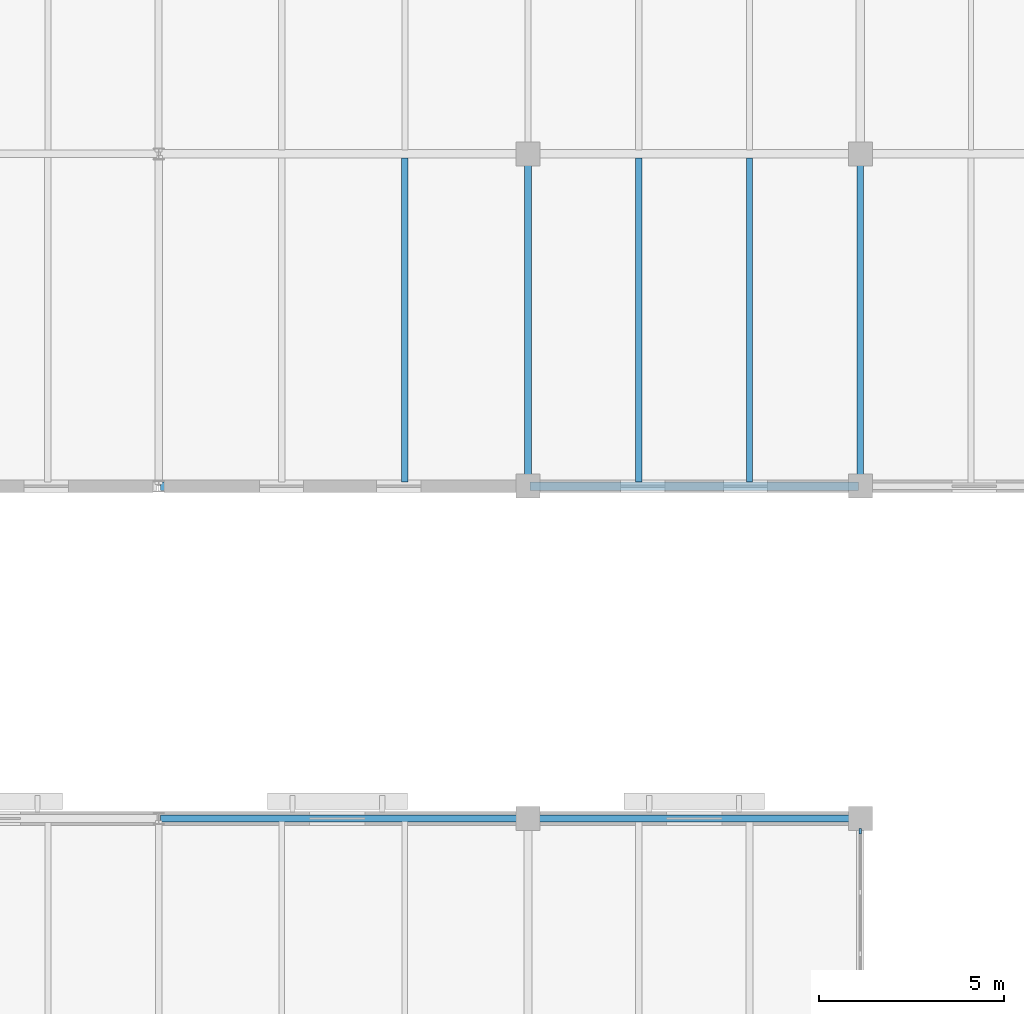
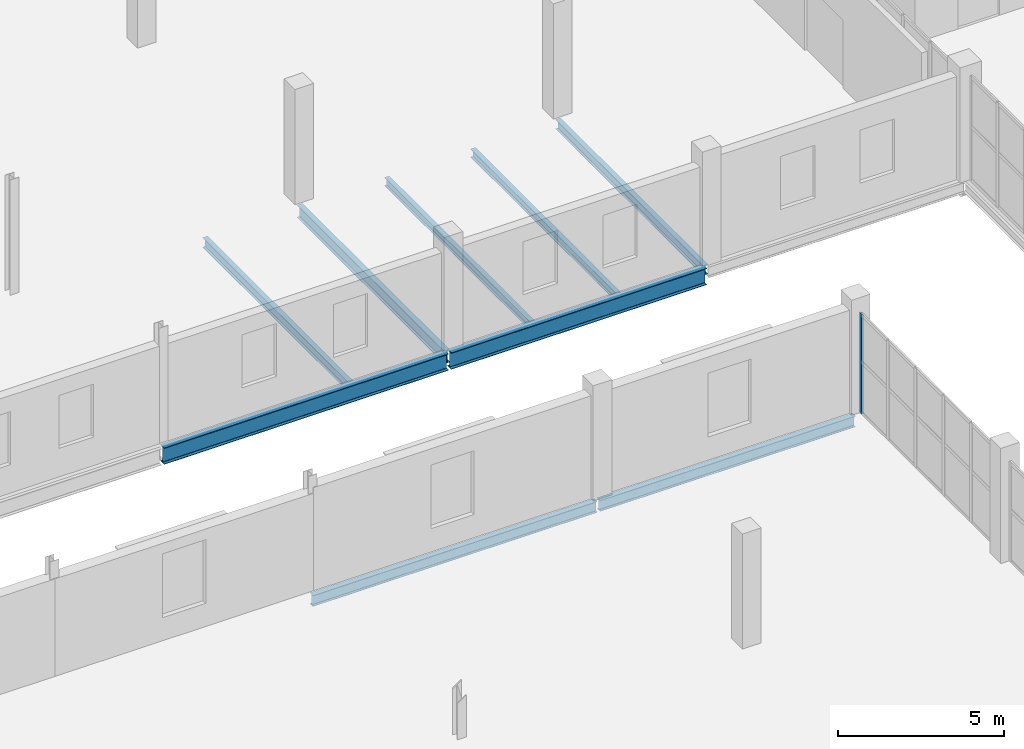
# One storey, part 25 of 85: 9 beams, 1 member, 1 element without a shape of its own.
"""IFC4 building model written with IfcOpenShell, lengths in metres."""

from ifc_helpers import new_model, si_unit, direction, frame, origin, origin_2d, place, context, subcontext, project, spatial, rectangle, i_section, extrude, material, layer, layer_set, material_profile, profile_set, type_object, element, aggregate, save


model = new_model("IFC4")

# Units and contexts
model_context = context("Model", 3, precision=1e-05, world=origin(), true_north=direction((0.0, 1.0)))
body_context = subcontext(model_context, "Body", "Model", "MODEL_VIEW")
ifc_project = project(units=[si_unit("LENGTHUNIT", "METRE"), si_unit("AREAUNIT", "SQUARE_METRE"), si_unit("VOLUMEUNIT", "CUBIC_METRE"), si_unit("PLANEANGLEUNIT", "RADIAN"), si_unit("MASSUNIT", "GRAM", prefix="KILO")], contexts=[model_context])

# Site, building, storey
site_placement = place(None, origin())
site = spatial("IfcSite", under=ifc_project, at=site_placement, CompositionType="ELEMENT")
building_placement = place(site_placement, origin())
building = spatial("IfcBuilding", under=site, at=building_placement, Name="Marnock Terrace Opera House", CompositionType="ELEMENT")
storey_placement = place(building_placement, frame((0.0, 0.0, 10.199951171875)))
storey = spatial("IfcBuildingStorey", under=building, at=storey_placement, Name="L02", CompositionType="ELEMENT", Elevation=10.199951171875)

# Beams
ifc_material_1 = material(Name="Steel Grade 350 (AS/NZS 3679.1)", Category="steel")
ifc_material_profile_1 = material_profile(ifc_material_1, i_section(OverallWidth=0.1708984375, OverallDepth=0.355712890625, WebThickness=0.00732421875, FlangeThickness=0.011474609375, FilletRadius=0.011474609375, at=origin_2d()))
ifc_profile_set_1 = profile_set([ifc_material_profile_1], Name="Steel Grade 350 (AS/NZS 3679.1)")
beam_type_1 = type_object("IfcBeamType", Name="BM-GIRD-360", PredefinedType="BEAM", material=ifc_profile_set_1)
beam_1_placement = place(storey_placement, frame((46.0, 66.050048828125, -0.437744140625), z_axis=(0.0, 1.0, 0.0), x_axis=(-1.0, 0.0, 0.0)))
element("IfcBeam", 1, at=beam_1_placement, inside=storey, type_object=beam_type_1, Name="L02 girder (X=46.0, 66.0..75.0)", PredefinedType="BEAM", context=body_context, shape_type="SweptSolid", body=[
    extrude(i_section(OverallWidth=0.1708984375, OverallDepth=0.355712890625, WebThickness=0.00732421875, FlangeThickness=0.011474609375, FilletRadius=0.011474609375, at=origin_2d()), origin(), (0.0, 0.0, 1.0), 8.89990234375),
])
ifc_material_profile_2 = material_profile(ifc_material_1, i_section(OverallWidth=0.177978515625, OverallDepth=0.402587890625, WebThickness=0.007568359375, FlangeThickness=0.010986328125, FilletRadius=0.011474609375, at=origin_2d()))
ifc_profile_set_2 = profile_set([ifc_material_profile_2], Name="Steel Grade 350 (AS/NZS 3679.1)")
beam_type_2 = type_object("IfcBeamType", Name="BM-GIRD-410", PredefinedType="BEAM", material=ifc_profile_set_2)
beam_2_placement = place(storey_placement, frame((27.050048828125, 57.0, -0.461181640625), z_axis=(1.0, 0.0, 0.0), x_axis=(0.0, 1.0, 0.0)))
element("IfcBeam", 2, at=beam_2_placement, inside=storey, type_object=beam_type_2, Name="L02 girder (27.0..37.0, Y=57.0)", PredefinedType="BEAM", context=body_context, shape_type="SweptSolid", body=[
    extrude(i_section(OverallWidth=0.177978515625, OverallDepth=0.402587890625, WebThickness=0.007568359375, FlangeThickness=0.010986328125, FilletRadius=0.011474609375, at=origin_2d()), origin(), (0.0, 0.0, 1.0), 9.89990234375),
])
beam_3_placement = place(storey_placement, frame((37.050048828125, 57.0, -0.461181640625), z_axis=(1.0, 0.0, 0.0), x_axis=(0.0, 1.0, 0.0)))
element("IfcBeam", 3, at=beam_3_placement, inside=storey, type_object=beam_type_2, Name="L02 girder (37.0..46.0, Y=57.0)", PredefinedType="BEAM", context=body_context, shape_type="SweptSolid", body=[
    extrude(i_section(OverallWidth=0.177978515625, OverallDepth=0.402587890625, WebThickness=0.007568359375, FlangeThickness=0.010986328125, FilletRadius=0.011474609375, at=origin_2d()), origin(), (0.0, 0.0, 1.0), 8.89990234375),
])
ifc_material_profile_3 = material_profile(ifc_material_1, i_section(OverallWidth=0.18994140625, OverallDepth=0.45751953125, WebThickness=0.009033203125, FlangeThickness=0.014404296875, FilletRadius=0.011474609375, at=origin_2d()))
ifc_profile_set_3 = profile_set([ifc_material_profile_3], Name="Steel Grade 350 (AS/NZS 3679.1)")
beam_type_3 = type_object("IfcBeamType", Name="BM-GIRD-460B", PredefinedType="BEAM", material=ifc_profile_set_3)
beam_4_placement = place(storey_placement, frame((37.0, 66.050048828125, -0.48876953125), z_axis=(0.0, 1.0, 0.0), x_axis=(-1.0, 0.0, 0.0)))
element("IfcBeam", 4, at=beam_4_placement, inside=storey, type_object=beam_type_3, Name="L02 girder (X=37.0, 66.0..75.0)", PredefinedType="BEAM", context=body_context, shape_type="SweptSolid", body=[
    extrude(i_section(OverallWidth=0.18994140625, OverallDepth=0.45751953125, WebThickness=0.009033203125, FlangeThickness=0.014404296875, FilletRadius=0.011474609375, at=origin_2d()), origin(), (0.0, 0.0, 1.0), 8.89990234375),
])
ifc_material_profile_4 = material_profile(ifc_material_1, i_section(OverallWidth=0.22900390625, OverallDepth=0.611572265625, WebThickness=0.011962890625, FlangeThickness=0.01953125, FilletRadius=0.013916015625, at=origin_2d()))
ifc_profile_set_4 = profile_set([ifc_material_profile_4], Name="Steel Grade 350 (AS/NZS 3679.1)")
beam_type_4 = type_object("IfcBeamType", Name="BM-GIRD-610A", PredefinedType="BEAM", material=ifc_profile_set_4)
beam_5_placement = place(storey_placement, frame((27.050048828125, 66.0, -0.565673828125), z_axis=(1.0, 0.0, 0.0), x_axis=(0.0, 1.0, 0.0)))
element("IfcBeam", 5, at=beam_5_placement, inside=storey, type_object=beam_type_4, Name="L02 girder (27.0..37.0, Y=66.0)", PredefinedType="BEAM", context=body_context, shape_type="SweptSolid", body=[
    extrude(i_section(OverallWidth=0.22900390625, OverallDepth=0.611572265625, WebThickness=0.011962890625, FlangeThickness=0.01953125, FilletRadius=0.013916015625, at=origin_2d()), origin(), (0.0, 0.0, 1.0), 9.89990234375),
])
beam_6_placement = place(storey_placement, frame((37.050048828125, 66.0, -0.565673828125), z_axis=(1.0, 0.0, 0.0), x_axis=(0.0, 1.0, 0.0)))
element("IfcBeam", 6, at=beam_6_placement, inside=storey, type_object=beam_type_4, Name="L02 girder (37.0..46.0, Y=66.0)", PredefinedType="BEAM", context=body_context, shape_type="SweptSolid", body=[
    extrude(i_section(OverallWidth=0.22900390625, OverallDepth=0.611572265625, WebThickness=0.011962890625, FlangeThickness=0.01953125, FilletRadius=0.013916015625, at=origin_2d()), origin(), (0.0, 0.0, 1.0), 8.89990234375),
])
ifc_material_profile_5 = material_profile(ifc_material_1, i_section(OverallWidth=0.166015625, OverallDepth=0.30712890625, WebThickness=0.006591796875, FlangeThickness=0.01171875, FilletRadius=0.011474609375, at=origin_2d()))
ifc_profile_set_5 = profile_set([ifc_material_profile_5], Name="Steel Grade 350 (AS/NZS 3679.1)")
beam_type_5 = type_object("IfcBeamType", Name="BM-JOIST-310A", PredefinedType="JOIST", material=ifc_profile_set_5)
for number, where, z_axis, x_axis, name in (
    (7, (40.0, 66.109619140625, -0.41357421875), (0.0, 1.0, 0.0), (-1.0, 0.0, 0.0), "L02 secondary joist 4.8.1"),
    (8, (43.0, 66.109619140625, -0.41357421875), (0.0, 1.0, 0.0), (-1.0, 0.0, 0.0), "L02 secondary joist 4.8.2"),
):
    element("IfcBeam", number, at=place(storey_placement, frame(where, z_axis=z_axis, x_axis=x_axis)), inside=storey, type_object=beam_type_5, Name=name, PredefinedType="JOIST", context=body_context, shape_type="SweptSolid", body=[
        extrude(i_section(OverallWidth=0.166015625, OverallDepth=0.30712890625, WebThickness=0.006591796875, FlangeThickness=0.01171875, FilletRadius=0.011474609375, at=origin_2d()), origin(), (0.0, 0.0, 1.0), 8.781494140625),
    ])
ifc_material_profile_6 = material_profile(ifc_material_1, i_section(OverallWidth=0.172119140625, OverallDepth=0.358642578125, WebThickness=0.008056640625, FlangeThickness=0.012939453125, FilletRadius=0.011474609375, at=origin_2d()))
ifc_profile_set_6 = profile_set([ifc_material_profile_6], Name="Steel Grade 350 (AS/NZS 3679.1)")
beam_type_6 = type_object("IfcBeamType", Name="BM-JOIST-360", PredefinedType="JOIST", material=ifc_profile_set_6)
beam_7_placement = place(storey_placement, frame((33.666748046875, 66.109619140625, -0.439208984375), z_axis=(0.0, 1.0, 0.0), x_axis=(-1.0, 0.0, 0.0)))
element("IfcBeam", 9, at=beam_7_placement, inside=storey, type_object=beam_type_6, Name="L02 secondary joist 3.8.2", PredefinedType="JOIST", context=body_context, shape_type="SweptSolid", body=[
    extrude(i_section(OverallWidth=0.172119140625, OverallDepth=0.358642578125, WebThickness=0.008056640625, FlangeThickness=0.012939453125, FilletRadius=0.011474609375, at=origin_2d()), origin(), (0.0, 0.0, 1.0), 8.781494140625),
])

# Curtain wall, member
ifc_material_2 = material(Name="Anodised architectural bronze aluminium framing", Category="aluminium")
ifc_layer = layer(ifc_material_2, 0.159912109375)
ifc_layer_set = layer_set([ifc_layer], Name="Anodised architectural bronze aluminium framing")
curtain_wall_type = type_object("IfcCurtainWallType", Name="CW-COURT-80x42", PredefinedType="NOTDEFINED", material=ifc_layer_set)
curtain_wall_placement = place(storey_placement, origin())
curtain_wall = element("IfcCurtainWall", 10, at=curtain_wall_placement, inside=storey, type_object=curtain_wall_type, Name="L02 glazed Beaux-Arts colonnade curtain wall CW-V3E-L02-06", PredefinedType="NOTDEFINED")
ifc_material_profile_7 = material_profile(ifc_material_2, rectangle(XDim=0.06005859375, YDim=0.14990234375, at=origin_2d()))
ifc_profile_set_7 = profile_set([ifc_material_profile_7], Name="Anodised architectural bronze aluminium framing")
member_type = type_object("IfcMemberType", Name="CWM-60x150", PredefinedType="MULLION", material=ifc_profile_set_7)
member_placement = place(storey_placement, frame((46.0, 56.64892578125, 0.0), z_axis=(0.0, 0.0, 1.0), x_axis=(-1.0, 0.0, 0.0)))
member = element("IfcMember", 11, at=member_placement, type_object=member_type, Name="CW-12 mullion 6", PredefinedType="MULLION", context=body_context, shape_type="SweptSolid", body=[
    extrude(rectangle(XDim=0.06005859375, YDim=0.14990234375, at=origin_2d()), origin(), (0.0, 0.0, 1.0), 3.672119140625),
])
aggregate(curtain_wall, [member])

save(model, "model.ifc")
